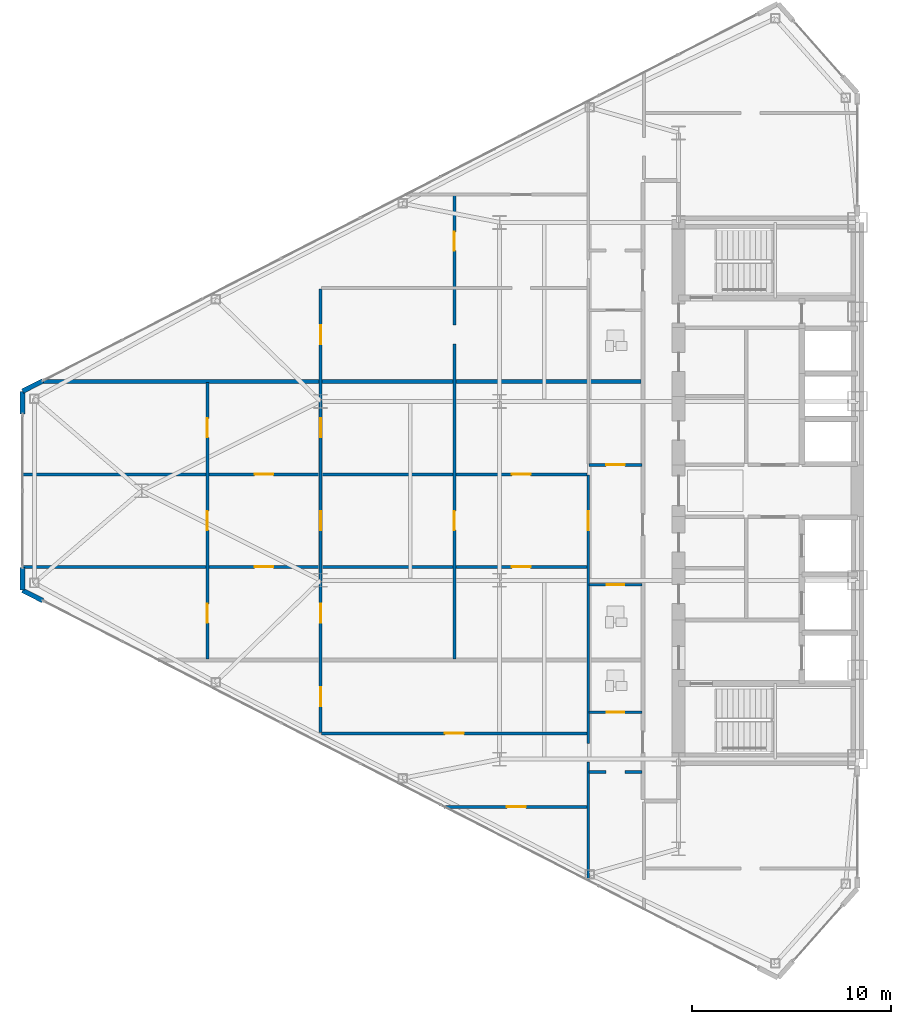
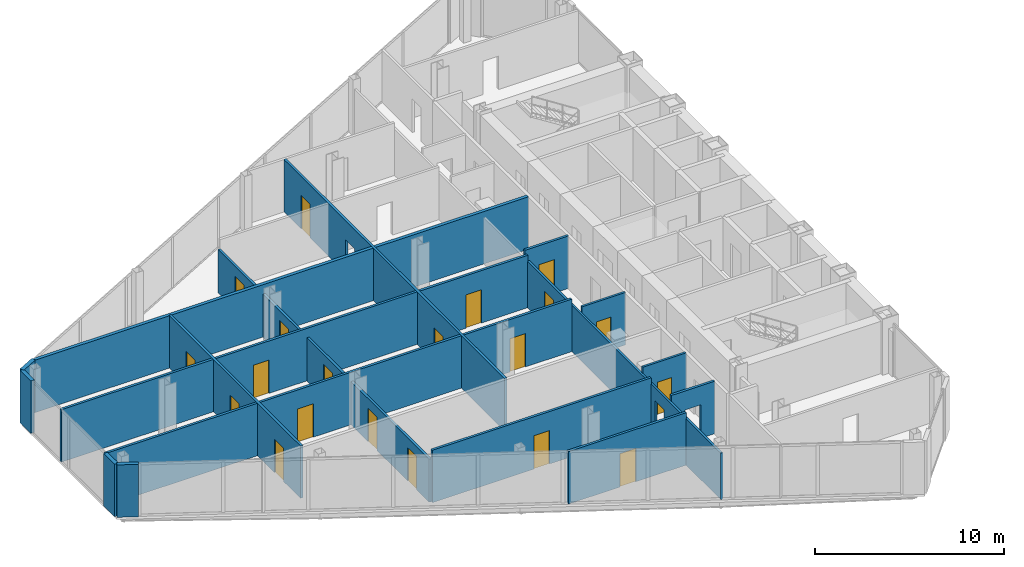
# One storey, part 16 of 24: 20 doors, 17 walls, 23 openings.
"""IFC4 building model written with IfcOpenShell, lengths in metres."""

from ifc_helpers import new_model, si_unit, direction, frame, frame_2d, origin, place, context, subcontext, project, spatial, rectangle, extrude, source, transform, mapped, material, layer, layer_set, type_object, type_shapes, element, fill, save


model = new_model("IFC4")

# Units and contexts
model_context = context("Model", 3, precision=1e-05, world=origin(), true_north=direction((0.0, 1.0)))
body_context = subcontext(model_context, "Body", "Model", "MODEL_VIEW")
ifc_project = project(units=[si_unit("LENGTHUNIT", "METRE"), si_unit("AREAUNIT", "SQUARE_METRE"), si_unit("VOLUMEUNIT", "CUBIC_METRE"), si_unit("PLANEANGLEUNIT", "RADIAN"), si_unit("MASSUNIT", "GRAM", prefix="KILO")], contexts=[model_context])

# Site, building, storey
site_placement = place(None, origin())
site = spatial("IfcSite", under=ifc_project, at=site_placement, CompositionType="ELEMENT")
building_placement = place(site_placement, origin())
building = spatial("IfcBuilding", under=site, at=building_placement, Name="Seokmaru Belvedere", CompositionType="ELEMENT")
storey_placement = place(building_placement, frame((0.0, 0.0, 114.0)))
storey = spatial("IfcBuildingStorey", under=building, at=storey_placement, Name="L30", CompositionType="ELEMENT", Elevation=114.0)

# Wall, opening, door
ifc_material_1 = material(Name="Fire-Rated Gypsum Shaftwall")
ifc_layer_1 = layer(ifc_material_1, 0.14990234375)
ifc_layer_set_1 = layer_set([ifc_layer_1], Name="Fire-Rated Gypsum Shaftwall")
wall_type_1 = type_object("IfcWallType", Name="Apartment Fire-Acoustic Room Partition 150", PredefinedType="PARTITIONING", material=ifc_layer_set_1)
wall_1_placement = place(storey_placement, frame((-48.294921875, -15.89990234375, 0.0), z_axis=(0.0, 0.0, 1.0), x_axis=(1.0, 0.0, 0.0)))
wall_1 = element("IfcWall", 1, at=wall_1_placement, inside=storey, type_object=wall_type_1, Name="L30 Interior Partition 003", PredefinedType="PARTITIONING", context=body_context, shape_type="SweptSolid", body=[
    extrude(rectangle(XDim=7.19482421875, YDim=0.14990234375, at=frame_2d((3.597412109375, 0.0))), origin(), (0.0, 0.0, 1.0), 3.3798828125),
])
opening_1_placement = place(wall_1_placement, frame((3.1650390625, 0.0, 0.0)))
opening_1 = element("IfcOpeningElement", 2, at=opening_1_placement, cuts=wall_1, Name="Opening D05", PredefinedType="OPENING", context=body_context, shape_type="SweptSolid", body=[
    extrude(rectangle(XDim=0.949951171875, YDim=2.14990234375, at=frame_2d((0.47509765625, 1.074951171875))), frame((0.0, 0.0849609375, 0.0), z_axis=(0.0, -1.0, 0.0), x_axis=(1.0, 0.0, 0.0)), (0.0, 0.0, 1.0), 0.169921875),
])
ifc_material_2 = material(Name="Engineered White Oak Timber", Category="wood")
door_type_1 = type_object("IfcDoorType", Name="Apartment Interior Fire-Rated Oak Door 950x2150", OperationType="NOTDEFINED", PredefinedType="DOOR", material=ifc_material_2)
shared_shape_1 = source(origin(), body_context, "Body", "SweptSolid", [
    extrude(rectangle(XDim=0.949951171875, YDim=2.14990234375, at=frame_2d((0.47509765625, 1.074951171875))), frame((0.0, 0.02490234375, 0.0), z_axis=(0.0, -1.0, 0.0), x_axis=(1.0, 0.0, 0.0)), (0.0, 0.0, 1.0), 0.050048828125),
])
type_shapes(door_type_1, [shared_shape_1])
door_1_placement = place(opening_1_placement, origin())
door_1 = element("IfcDoor", 3, at=door_1_placement, inside=storey, type_object=door_type_1, Name="L30 Interior Door 005", OperationType="SINGLE_SWING_LEFT", OverallHeight=2.14990234375, OverallWidth=0.949951171875, PredefinedType="DOOR", context=body_context, shape_type="MappedRepresentation", body=[
    mapped(shared_shape_1, transform((0.0, 0.0, 0.0), scale=1.0)),
])
fill(opening_1, door_1)

# Wall, opening
wall_2_placement = place(storey_placement, frame((-41.0, -14.139892578125, 0.0), z_axis=(0.0, 0.0, 1.0), x_axis=(1.0, 0.0, 0.0)))
wall_2 = element("IfcWall", 4, at=wall_2_placement, inside=storey, type_object=wall_type_1, Name="L30 Interior Partition 007", PredefinedType="PARTITIONING", context=body_context, shape_type="SweptSolid", body=[
    extrude(rectangle(XDim=2.64990234375, YDim=0.14990234375, at=frame_2d((1.324951171875, 0.0))), origin(), (0.0, 0.0, 1.0), 3.3798828125),
])
opening_2_placement = place(wall_2_placement, frame((0.85009765625, 0.0, 0.0)))
element("IfcOpeningElement", 5, at=opening_2_placement, cuts=wall_2, Name="L30 Cased Opening 003", PredefinedType="OPENING", context=body_context, shape_type="SweptSolid", body=[
    extrude(rectangle(XDim=0.949951171875, YDim=2.14990234375, at=frame_2d((0.47509765625, 1.074951171875))), frame((0.0, 0.0849609375, 0.0), z_axis=(0.0, -1.0, 0.0), x_axis=(1.0, 0.0, 0.0)), (0.0, 0.0, 1.0), 0.169921875),
])

# Wall, opening, door
wall_3_placement = place(storey_placement, frame((-54.449951171875, -12.199951171875, 0.0), z_axis=(0.0, 0.0, 1.0), x_axis=(1.0, 0.0, 0.0)))
wall_3 = element("IfcWall", 6, at=wall_3_placement, inside=storey, type_object=wall_type_1, Name="L30 Interior Partition 009", PredefinedType="PARTITIONING", context=body_context, shape_type="SweptSolid", body=[
    extrude(rectangle(XDim=13.349853515625, YDim=0.14990234375, at=frame_2d((6.6748046875, 0.0))), origin(), (0.0, 0.0, 1.0), 3.3798828125),
])
opening_3_placement = place(wall_3_placement, frame((6.199951171875, 0.0, 0.0)))
opening_3 = element("IfcOpeningElement", 7, at=opening_3_placement, cuts=wall_3, Name="Opening D05", PredefinedType="OPENING", context=body_context, shape_type="SweptSolid", body=[
    extrude(rectangle(XDim=0.949951171875, YDim=2.14990234375, at=frame_2d((0.47509765625, 1.074951171875))), frame((0.0, 0.0849609375, 0.0), z_axis=(0.0, -1.0, 0.0), x_axis=(1.0, 0.0, 0.0)), (0.0, 0.0, 1.0), 0.169921875),
])
door_2_placement = place(opening_3_placement, origin())
door_2 = element("IfcDoor", 8, at=door_2_placement, inside=storey, type_object=door_type_1, Name="L30 Interior Door 006", OperationType="SINGLE_SWING_RIGHT", OverallHeight=2.14990234375, OverallWidth=0.949951171875, PredefinedType="DOOR", context=body_context, shape_type="MappedRepresentation", body=[
    mapped(shared_shape_1, transform((0.0, 0.0, 0.0), scale=1.0)),
])
fill(opening_3, door_2)

# Wall, openings, doors
wall_4_placement = place(storey_placement, frame((-69.534912109375, -3.830078125, 0.0), z_axis=(0.0, 0.0, 1.0), x_axis=(1.0, 0.0, 0.0)))
wall_4 = element("IfcWall", 9, at=wall_4_placement, inside=storey, type_object=wall_type_1, Name="L30 Interior Partition 016", PredefinedType="PARTITIONING", context=body_context, shape_type="SweptSolid", body=[
    extrude(rectangle(XDim=28.434814453125, YDim=0.14990234375, at=frame_2d((14.21728515625, 0.0))), origin(), (0.0, 0.0, 1.0), 3.3798828125),
])
opening_4_placement = place(wall_4_placement, frame((24.6474609375, 0.0, 0.0)))
opening_4 = element("IfcOpeningElement", 10, at=opening_4_placement, cuts=wall_4, Name="Opening D05", PredefinedType="OPENING", context=body_context, shape_type="SweptSolid", body=[
    extrude(rectangle(XDim=0.949951171875, YDim=2.14990234375, at=frame_2d((0.47509765625, 1.074951171875))), frame((0.0, 0.0849609375, 0.0), z_axis=(0.0, -1.0, 0.0), x_axis=(1.0, 0.0, 0.0)), (0.0, 0.0, 1.0), 0.169921875),
])
opening_5_placement = place(wall_4_placement, frame((11.7099609375, 0.0, 0.0)))
opening_5 = element("IfcOpeningElement", 11, at=opening_5_placement, cuts=wall_4, Name="Opening D05", PredefinedType="OPENING", context=body_context, shape_type="SweptSolid", body=[
    extrude(rectangle(XDim=0.949951171875, YDim=2.14990234375, at=frame_2d((0.47509765625, 1.074951171875))), frame((0.0, 0.0849609375, 0.0), z_axis=(0.0, -1.0, 0.0), x_axis=(1.0, 0.0, 0.0)), (0.0, 0.0, 1.0), 0.169921875),
])
door_3_placement = place(opening_4_placement, origin())
door_3 = element("IfcDoor", 12, at=door_3_placement, inside=storey, type_object=door_type_1, Name="L30 Interior Door 014", OperationType="SINGLE_SWING_LEFT", OverallHeight=2.14990234375, OverallWidth=0.949951171875, PredefinedType="DOOR", context=body_context, shape_type="MappedRepresentation", body=[
    mapped(shared_shape_1, transform((0.0, 0.0, 0.0), scale=1.0)),
])
fill(opening_4, door_3)
door_4_placement = place(opening_5_placement, origin())
door_4 = element("IfcDoor", 13, at=door_4_placement, inside=storey, type_object=door_type_1, Name="L30 Interior Door 018", OperationType="SINGLE_SWING_LEFT", OverallHeight=2.14990234375, OverallWidth=0.949951171875, PredefinedType="DOOR", context=body_context, shape_type="MappedRepresentation", body=[
    mapped(shared_shape_1, transform((0.0, 0.0, 0.0), scale=1.0)),
])
fill(opening_5, door_4)

wall_5_placement = place(storey_placement, frame((-69.534912109375, 0.830078125, 0.0), z_axis=(0.0, 0.0, 1.0), x_axis=(1.0, 0.0, 0.0)))
wall_5 = element("IfcWall", 14, at=wall_5_placement, inside=storey, type_object=wall_type_1, Name="L30 Interior Partition 019", PredefinedType="PARTITIONING", context=body_context, shape_type="SweptSolid", body=[
    extrude(rectangle(XDim=28.434814453125, YDim=0.14990234375, at=frame_2d((14.21728515625, 0.0))), origin(), (0.0, 0.0, 1.0), 3.3798828125),
])
opening_6_placement = place(wall_5_placement, frame((24.6474609375, 0.0, 0.0)))
opening_6 = element("IfcOpeningElement", 15, at=opening_6_placement, cuts=wall_5, Name="Opening D05", PredefinedType="OPENING", context=body_context, shape_type="SweptSolid", body=[
    extrude(rectangle(XDim=0.949951171875, YDim=2.14990234375, at=frame_2d((0.47509765625, 1.074951171875))), frame((0.0, 0.0849609375, 0.0), z_axis=(0.0, -1.0, 0.0), x_axis=(1.0, 0.0, 0.0)), (0.0, 0.0, 1.0), 0.169921875),
])
opening_7_placement = place(wall_5_placement, frame((11.7099609375, 0.0, 0.0)))
opening_7 = element("IfcOpeningElement", 16, at=opening_7_placement, cuts=wall_5, Name="Opening D05", PredefinedType="OPENING", context=body_context, shape_type="SweptSolid", body=[
    extrude(rectangle(XDim=0.949951171875, YDim=2.14990234375, at=frame_2d((0.47509765625, 1.074951171875))), frame((0.0, 0.0849609375, 0.0), z_axis=(0.0, -1.0, 0.0), x_axis=(1.0, 0.0, 0.0)), (0.0, 0.0, 1.0), 0.169921875),
])
door_5_placement = place(opening_6_placement, origin())
door_5 = element("IfcDoor", 17, at=door_5_placement, inside=storey, type_object=door_type_1, Name="L30 Interior Door 016", OperationType="SINGLE_SWING_RIGHT", OverallHeight=2.14990234375, OverallWidth=0.949951171875, PredefinedType="DOOR", context=body_context, shape_type="MappedRepresentation", body=[
    mapped(shared_shape_1, transform((0.0, 0.0, 0.0), scale=1.0)),
])
fill(opening_6, door_5)
door_6_placement = place(opening_7_placement, origin())
door_6 = element("IfcDoor", 18, at=door_6_placement, inside=storey, type_object=door_type_1, Name="L30 Interior Door 021", OperationType="SINGLE_SWING_LEFT", OverallHeight=2.14990234375, OverallWidth=0.949951171875, PredefinedType="DOOR", context=body_context, shape_type="MappedRepresentation", body=[
    mapped(shared_shape_1, transform((0.0, 0.0, 0.0), scale=1.0)),
])
fill(opening_7, door_6)

# Wall, opening, door
wall_6_placement = place(storey_placement, frame((-41.0, 1.300048828125, 0.0), z_axis=(0.0, 0.0, 1.0), x_axis=(1.0, 0.0, 0.0)))
wall_6 = element("IfcWall", 19, at=wall_6_placement, inside=storey, type_object=wall_type_1, Name="L30 Interior Partition 020", PredefinedType="PARTITIONING", context=body_context, shape_type="SweptSolid", body=[
    extrude(rectangle(XDim=2.64990234375, YDim=0.14990234375, at=frame_2d((1.324951171875, 0.0))), origin(), (0.0, 0.0, 1.0), 3.3798828125),
])
opening_8_placement = place(wall_6_placement, frame((0.85009765625, 0.0, 0.0)))
opening_8 = element("IfcOpeningElement", 20, at=opening_8_placement, cuts=wall_6, Name="Opening D05", PredefinedType="OPENING", context=body_context, shape_type="SweptSolid", body=[
    extrude(rectangle(XDim=0.949951171875, YDim=2.14990234375, at=frame_2d((0.47509765625, 1.074951171875))), frame((0.0, 0.0849609375, 0.0), z_axis=(0.0, -1.0, 0.0), x_axis=(1.0, 0.0, 0.0)), (0.0, 0.0, 1.0), 0.169921875),
])
door_7_placement = place(opening_8_placement, origin())
door_7 = element("IfcDoor", 21, at=door_7_placement, inside=storey, type_object=door_type_1, Name="L30 Interior Door 012", OperationType="SINGLE_SWING_LEFT", OverallHeight=2.14990234375, OverallWidth=0.949951171875, PredefinedType="DOOR", context=body_context, shape_type="MappedRepresentation", body=[
    mapped(shared_shape_1, transform((0.0, 0.0, 0.0), scale=1.0)),
])
fill(opening_8, door_7)

# Wall, openings, doors
wall_7_placement = place(storey_placement, frame((-60.199951171875, -8.449951171875, 0.0), z_axis=(0.0, 0.0, 1.0), x_axis=(0.0, 1.0, 0.0)))
wall_7 = element("IfcWall", 22, at=wall_7_placement, inside=storey, type_object=wall_type_1, Name="L30 Interior Partition 037", PredefinedType="PARTITIONING", context=body_context, shape_type="SweptSolid", body=[
    extrude(rectangle(XDim=13.89990234375, YDim=0.14990234375, at=frame_2d((6.949951171875, 0.0))), origin(), (0.0, 0.0, 1.0), 3.3798828125),
])
opening_9_placement = place(wall_7_placement, frame((1.808349609375, 0.0, 0.0)))
opening_9 = element("IfcOpeningElement", 23, at=opening_9_placement, cuts=wall_7, Name="Opening D05", PredefinedType="OPENING", context=body_context, shape_type="SweptSolid", body=[
    extrude(rectangle(XDim=0.949951171875, YDim=2.14990234375, at=frame_2d((0.47509765625, 1.074951171875))), frame((0.0, 0.0849609375, 0.0), z_axis=(0.0, -1.0, 0.0), x_axis=(1.0, 0.0, 0.0)), (0.0, 0.0, 1.0), 0.169921875),
])
opening_10_placement = place(wall_7_placement, frame((6.47509765625, 0.0, 0.0)))
opening_10 = element("IfcOpeningElement", 24, at=opening_10_placement, cuts=wall_7, Name="Opening D05", PredefinedType="OPENING", context=body_context, shape_type="SweptSolid", body=[
    extrude(rectangle(XDim=0.949951171875, YDim=2.14990234375, at=frame_2d((0.47509765625, 1.074951171875))), frame((0.0, 0.0849609375, 0.0), z_axis=(0.0, -1.0, 0.0), x_axis=(1.0, 0.0, 0.0)), (0.0, 0.0, 1.0), 0.169921875),
])
opening_11_placement = place(wall_7_placement, frame((11.1416015625, 0.0, 0.0)))
opening_11 = element("IfcOpeningElement", 25, at=opening_11_placement, cuts=wall_7, Name="Opening D05", PredefinedType="OPENING", context=body_context, shape_type="SweptSolid", body=[
    extrude(rectangle(XDim=0.949951171875, YDim=2.14990234375, at=frame_2d((0.47509765625, 1.074951171875))), frame((0.0, 0.0849609375, 0.0), z_axis=(0.0, -1.0, 0.0), x_axis=(1.0, 0.0, 0.0)), (0.0, 0.0, 1.0), 0.169921875),
])
door_8_placement = place(opening_9_placement, origin())
door_8 = element("IfcDoor", 26, at=door_8_placement, inside=storey, type_object=door_type_1, Name="L30 Interior Door 019", OperationType="SINGLE_SWING_RIGHT", OverallHeight=2.14990234375, OverallWidth=0.949951171875, PredefinedType="DOOR", context=body_context, shape_type="MappedRepresentation", body=[
    mapped(shared_shape_1, transform((0.0, 0.0, 0.0), scale=1.0)),
])
fill(opening_9, door_8)
door_9_placement = place(opening_10_placement, origin())
door_9 = element("IfcDoor", 27, at=door_9_placement, inside=storey, type_object=door_type_1, Name="L30 Interior Door 020", OperationType="SINGLE_SWING_RIGHT", OverallHeight=2.14990234375, OverallWidth=0.949951171875, PredefinedType="DOOR", context=body_context, shape_type="MappedRepresentation", body=[
    mapped(shared_shape_1, transform((0.0, 0.0, 0.0), scale=1.0)),
])
fill(opening_10, door_9)
door_10_placement = place(opening_11_placement, origin())
door_10 = element("IfcDoor", 28, at=door_10_placement, inside=storey, type_object=door_type_1, Name="L30 Interior Door 022", OperationType="SINGLE_SWING_RIGHT", OverallHeight=2.14990234375, OverallWidth=0.949951171875, PredefinedType="DOOR", context=body_context, shape_type="MappedRepresentation", body=[
    mapped(shared_shape_1, transform((0.0, 0.0, 0.0), scale=1.0)),
])
fill(opening_11, door_10)

wall_8_placement = place(storey_placement, frame((-54.5, -12.14990234375, 0.0), z_axis=(0.0, 0.0, 1.0), x_axis=(0.0, 1.0, 0.0)))
wall_8 = element("IfcWall", 29, at=wall_8_placement, inside=storey, type_object=wall_type_1, Name="L30 Interior Partition 038", PredefinedType="PARTITIONING", context=body_context, shape_type="SweptSolid", body=[
    extrude(rectangle(XDim=22.2998046875, YDim=0.14990234375, at=frame_2d((11.14990234375, 0.0))), origin(), (0.0, 0.0, 1.0), 2.780029296875),
])
opening_12_placement = place(wall_8_placement, frame((1.3251953125, 0.0, 0.0)))
opening_12 = element("IfcOpeningElement", 30, at=opening_12_placement, cuts=wall_8, Name="Opening D05", PredefinedType="OPENING", context=body_context, shape_type="SweptSolid", body=[
    extrude(rectangle(XDim=0.949951171875, YDim=2.14990234375, at=frame_2d((0.47509765625, 1.074951171875))), frame((0.0, 0.0849609375, 0.0), z_axis=(0.0, -1.0, 0.0), x_axis=(1.0, 0.0, 0.0)), (0.0, 0.0, 1.0), 0.169921875),
])
opening_13_placement = place(wall_8_placement, frame((10.175048828125, 0.0, 0.0)))
opening_13 = element("IfcOpeningElement", 31, at=opening_13_placement, cuts=wall_8, Name="Opening D05", PredefinedType="OPENING", context=body_context, shape_type="SweptSolid", body=[
    extrude(rectangle(XDim=0.949951171875, YDim=2.14990234375, at=frame_2d((0.47509765625, 1.074951171875))), frame((0.0, 0.0849609375, 0.0), z_axis=(0.0, -1.0, 0.0), x_axis=(1.0, 0.0, 0.0)), (0.0, 0.0, 1.0), 0.169921875),
])
opening_14_placement = place(wall_8_placement, frame((5.50830078125, 0.0, 0.0)))
opening_14 = element("IfcOpeningElement", 32, at=opening_14_placement, cuts=wall_8, Name="Opening D05", PredefinedType="OPENING", context=body_context, shape_type="SweptSolid", body=[
    extrude(rectangle(XDim=0.949951171875, YDim=2.14990234375, at=frame_2d((0.47509765625, 1.074951171875))), frame((0.0, 0.0849609375, 0.0), z_axis=(0.0, -1.0, 0.0), x_axis=(1.0, 0.0, 0.0)), (0.0, 0.0, 1.0), 0.169921875),
])
opening_15_placement = place(wall_8_placement, frame((14.841552734375, 0.0, 0.0)))
opening_15 = element("IfcOpeningElement", 33, at=opening_15_placement, cuts=wall_8, Name="Opening D05", PredefinedType="OPENING", context=body_context, shape_type="SweptSolid", body=[
    extrude(rectangle(XDim=0.949951171875, YDim=2.14990234375, at=frame_2d((0.47509765625, 1.074951171875))), frame((0.0, 0.0849609375, 0.0), z_axis=(0.0, -1.0, 0.0), x_axis=(1.0, 0.0, 0.0)), (0.0, 0.0, 1.0), 0.169921875),
])
opening_16_placement = place(wall_8_placement, frame((19.52490234375, 0.0, 0.0)))
opening_16 = element("IfcOpeningElement", 34, at=opening_16_placement, cuts=wall_8, Name="Opening D05", PredefinedType="OPENING", context=body_context, shape_type="SweptSolid", body=[
    extrude(rectangle(XDim=0.949951171875, YDim=2.14990234375, at=frame_2d((0.47509765625, 1.074951171875))), frame((0.0, 0.0849609375, 0.0), z_axis=(0.0, -1.0, 0.0), x_axis=(1.0, 0.0, 0.0)), (0.0, 0.0, 1.0), 0.169921875),
])
door_11_placement = place(opening_12_placement, origin())
door_11 = element("IfcDoor", 35, at=door_11_placement, inside=storey, type_object=door_type_1, Name="L30 Interior Door 009", OperationType="SINGLE_SWING_LEFT", OverallHeight=2.14990234375, OverallWidth=0.949951171875, PredefinedType="DOOR", context=body_context, shape_type="MappedRepresentation", body=[
    mapped(shared_shape_1, transform((0.0, 0.0, 0.0), scale=1.0)),
])
fill(opening_12, door_11)
door_12_placement = place(opening_13_placement, origin())
door_12 = element("IfcDoor", 36, at=door_12_placement, inside=storey, type_object=door_type_1, Name="L30 Interior Door 017", OperationType="SINGLE_SWING_RIGHT", OverallHeight=2.14990234375, OverallWidth=0.949951171875, PredefinedType="DOOR", context=body_context, shape_type="MappedRepresentation", body=[
    mapped(shared_shape_1, transform((0.0, 0.0, 0.0), scale=1.0)),
])
fill(opening_13, door_12)
door_13_placement = place(opening_14_placement, origin())
door_13 = element("IfcDoor", 37, at=door_13_placement, inside=storey, type_object=door_type_1, Name="L30 Interior Door 023", OperationType="SINGLE_SWING_RIGHT", OverallHeight=2.14990234375, OverallWidth=0.949951171875, PredefinedType="DOOR", context=body_context, shape_type="MappedRepresentation", body=[
    mapped(shared_shape_1, transform((0.0, 0.0, 0.0), scale=1.0)),
])
fill(opening_14, door_13)
door_14_placement = place(opening_15_placement, origin())
door_14 = element("IfcDoor", 38, at=door_14_placement, inside=storey, type_object=door_type_1, Name="L30 Interior Door 024", OperationType="SINGLE_SWING_LEFT", OverallHeight=2.14990234375, OverallWidth=0.949951171875, PredefinedType="DOOR", context=body_context, shape_type="MappedRepresentation", body=[
    mapped(shared_shape_1, transform((0.0, 0.0, 0.0), scale=1.0)),
])
fill(opening_15, door_14)
door_15_placement = place(opening_16_placement, origin())
door_15 = element("IfcDoor", 39, at=door_15_placement, inside=storey, type_object=door_type_1, Name="L30 Interior Door 033", OperationType="SINGLE_SWING_RIGHT", OverallHeight=2.14990234375, OverallWidth=0.949951171875, PredefinedType="DOOR", context=body_context, shape_type="MappedRepresentation", body=[
    mapped(shared_shape_1, transform((0.0, 0.0, 0.0), scale=1.0)),
])
fill(opening_16, door_15)

wall_9_placement = place(storey_placement, frame((-47.77001953125, -8.449951171875, 0.0), z_axis=(0.0, 0.0, 1.0), x_axis=(0.0, 1.0, 0.0)))
wall_9 = element("IfcWall", 40, at=wall_9_placement, inside=storey, type_object=wall_type_1, Name="L30 Interior Partition 039", PredefinedType="PARTITIONING", context=body_context, shape_type="SweptSolid", body=[
    extrude(rectangle(XDim=23.300048828125, YDim=0.14990234375, at=frame_2d((11.64990234375, 0.0))), origin(), (0.0, 0.0, 1.0), 3.3798828125),
])
opening_17_placement = place(wall_9_placement, frame((6.47509765625, 0.0, 0.0)))
opening_17 = element("IfcOpeningElement", 41, at=opening_17_placement, cuts=wall_9, Name="Opening D05", PredefinedType="OPENING", context=body_context, shape_type="SweptSolid", body=[
    extrude(rectangle(XDim=0.949951171875, YDim=2.14990234375, at=frame_2d((0.47509765625, 1.074951171875))), frame((0.0, 0.0849609375, 0.0), z_axis=(0.0, -1.0, 0.0), x_axis=(1.0, 0.0, 0.0)), (0.0, 0.0, 1.0), 0.169921875),
])
opening_18_placement = place(wall_9_placement, frame((20.524658203125, 0.0, 0.0)))
opening_18 = element("IfcOpeningElement", 42, at=opening_18_placement, cuts=wall_9, Name="Opening D05", PredefinedType="OPENING", context=body_context, shape_type="SweptSolid", body=[
    extrude(rectangle(XDim=0.949951171875, YDim=2.14990234375, at=frame_2d((0.47509765625, 1.074951171875))), frame((0.0, 0.0849609375, 0.0), z_axis=(0.0, -1.0, 0.0), x_axis=(1.0, 0.0, 0.0)), (0.0, 0.0, 1.0), 0.169921875),
])
opening_19_placement = place(wall_9_placement, frame((15.824951171875, 0.0, 0.0)))
element("IfcOpeningElement", 43, at=opening_19_placement, cuts=wall_9, Name="L30 Cased Opening 032", PredefinedType="OPENING", context=body_context, shape_type="SweptSolid", body=[
    extrude(rectangle(XDim=0.949951171875, YDim=2.14990234375, at=frame_2d((0.47509765625, 1.074951171875))), frame((0.0, 0.0849609375, 0.0), z_axis=(0.0, -1.0, 0.0), x_axis=(1.0, 0.0, 0.0)), (0.0, 0.0, 1.0), 0.169921875),
])
door_16_placement = place(opening_17_placement, origin())
door_16 = element("IfcDoor", 44, at=door_16_placement, inside=storey, type_object=door_type_1, Name="L30 Interior Door 015", OperationType="SINGLE_SWING_RIGHT", OverallHeight=2.14990234375, OverallWidth=0.949951171875, PredefinedType="DOOR", context=body_context, shape_type="MappedRepresentation", body=[
    mapped(shared_shape_1, transform((0.0, 0.0, 0.0), scale=1.0)),
])
fill(opening_17, door_16)
door_17_placement = place(opening_18_placement, origin())
door_17 = element("IfcDoor", 45, at=door_17_placement, inside=storey, type_object=door_type_1, Name="L30 Interior Door 030", OperationType="SINGLE_SWING_LEFT", OverallHeight=2.14990234375, OverallWidth=0.949951171875, PredefinedType="DOOR", context=body_context, shape_type="MappedRepresentation", body=[
    mapped(shared_shape_1, transform((0.0, 0.0, 0.0), scale=1.0)),
])
fill(opening_18, door_17)

# Wall
ifc_layer_2 = layer(ifc_material_1, 0.199951171875)
ifc_layer_set_2 = layer_set([ifc_layer_2], Name="Fire-Rated Gypsum Shaftwall")
wall_type_2 = type_object("IfcWallType", Name="Inter-Tenancy Fire Compartment Partition 200", PredefinedType="PARTITIONING", material=ifc_layer_set_2)
wall_10_placement = place(storey_placement, frame((-68.45849609375, 5.5, 0.0), z_axis=(0.0, 0.0, 1.0), x_axis=(1.0, 0.0, 0.0)))
element("IfcWall", 46, at=wall_10_placement, inside=storey, type_object=wall_type_2, Name="L30 Interior Partition 023", PredefinedType="PARTITIONING", context=body_context, shape_type="SweptSolid", body=[
    extrude(rectangle(XDim=30.07861328125, YDim=0.199951171875, at=frame_2d((15.039306640625, 0.0))), origin(), (0.0, 0.0, 1.0), 3.3798828125),
])

# Wall, opening, door
ifc_layer_3 = layer(ifc_material_1, 0.1298828125)
ifc_layer_set_3 = layer_set([ifc_layer_3], Name="Fire-Rated Gypsum Shaftwall")
wall_type_3 = type_object("IfcWallType", Name="Moisture-Resistant Fire-Rated Bathroom Partition 130", PredefinedType="PARTITIONING", material=ifc_layer_set_3)
wall_11_placement = place(storey_placement, frame((-41.0, -11.139892578125, 0.0), z_axis=(0.0, 0.0, 1.0), x_axis=(1.0, 0.0, 0.0)))
wall_11 = element("IfcWall", 47, at=wall_11_placement, inside=storey, type_object=wall_type_3, Name="L30 Interior Partition 010", PredefinedType="PARTITIONING", context=body_context, shape_type="SweptSolid", body=[
    extrude(rectangle(XDim=2.64990234375, YDim=0.1298828125, at=frame_2d((1.324951171875, 0.0))), origin(), (0.0, 0.0, 1.0), 3.3798828125),
])
opening_20_placement = place(wall_11_placement, frame((0.885009765625, 0.0, 0.0)))
opening_20 = element("IfcOpeningElement", 48, at=opening_20_placement, cuts=wall_11, Name="Opening D06", PredefinedType="OPENING", context=body_context, shape_type="SweptSolid", body=[
    extrude(rectangle(XDim=0.8798828125, YDim=2.10009765625, at=frame_2d((0.43994140625, 1.050048828125))), frame((0.0, 0.074951171875, 0.0), z_axis=(0.0, -1.0, 0.0), x_axis=(1.0, 0.0, 0.0)), (0.0, 0.0, 1.0), 0.14990234375),
])
door_type_2 = type_object("IfcDoorType", Name="Bathroom and Restroom Fire-Rated Door 880x2100", OperationType="NOTDEFINED", PredefinedType="DOOR", material=ifc_material_2)
shared_shape_2 = source(origin(), body_context, "Body", "SweptSolid", [
    extrude(rectangle(XDim=0.8798828125, YDim=2.10009765625, at=frame_2d((0.43994140625, 1.050048828125))), frame((0.0, 0.02490234375, 0.0), z_axis=(0.0, -1.0, 0.0), x_axis=(1.0, 0.0, 0.0)), (0.0, 0.0, 1.0), 0.050048828125),
])
type_shapes(door_type_2, [shared_shape_2])
door_18_placement = place(opening_20_placement, origin())
door_18 = element("IfcDoor", 49, at=door_18_placement, inside=storey, type_object=door_type_2, Name="L30 Interior Door 002", OperationType="SINGLE_SWING_LEFT", OverallHeight=2.10009765625, OverallWidth=0.8798828125, PredefinedType="DOOR", context=body_context, shape_type="MappedRepresentation", body=[
    mapped(shared_shape_2, transform((0.0, 0.0, 0.0), scale=1.0)),
])
fill(opening_20, door_18)

wall_12_placement = place(storey_placement, frame((-41.0, -4.719970703125, 0.0), z_axis=(0.0, 0.0, 1.0), x_axis=(1.0, 0.0, 0.0)))
wall_12 = element("IfcWall", 50, at=wall_12_placement, inside=storey, type_object=wall_type_3, Name="L30 Interior Partition 015", PredefinedType="PARTITIONING", context=body_context, shape_type="SweptSolid", body=[
    extrude(rectangle(XDim=2.64990234375, YDim=0.1298828125, at=frame_2d((1.324951171875, 0.0))), origin(), (0.0, 0.0, 1.0), 3.3798828125),
])
opening_21_placement = place(wall_12_placement, frame((0.885009765625, 0.0, 0.0)))
opening_21 = element("IfcOpeningElement", 51, at=opening_21_placement, cuts=wall_12, Name="Opening D06", PredefinedType="OPENING", context=body_context, shape_type="SweptSolid", body=[
    extrude(rectangle(XDim=0.8798828125, YDim=2.10009765625, at=frame_2d((0.43994140625, 1.050048828125))), frame((0.0, 0.074951171875, 0.0), z_axis=(0.0, -1.0, 0.0), x_axis=(1.0, 0.0, 0.0)), (0.0, 0.0, 1.0), 0.14990234375),
])
door_19_placement = place(opening_21_placement, origin())
door_19 = element("IfcDoor", 52, at=door_19_placement, inside=storey, type_object=door_type_2, Name="L30 Interior Door 011", OperationType="SINGLE_SWING_LEFT", OverallHeight=2.10009765625, OverallWidth=0.8798828125, PredefinedType="DOOR", context=body_context, shape_type="MappedRepresentation", body=[
    mapped(shared_shape_2, transform((0.0, 0.0, 0.0), scale=1.0)),
])
fill(opening_21, door_19)

# Wall, openings, door
wall_13_placement = place(storey_placement, frame((-41.050048828125, -19.634033203125, 0.0), z_axis=(0.0, 0.0, 1.0), x_axis=(0.0, 1.0, 0.0)))
wall_13 = element("IfcWall", 53, at=wall_13_placement, inside=storey, type_object=wall_type_3, Name="L30 Interior Partition 040", PredefinedType="PARTITIONING", context=body_context, shape_type="SweptSolid", body=[
    extrude(rectangle(XDim=20.4169921875, YDim=0.1298828125, at=frame_2d((10.20849609375, 0.0))), origin(), (0.0, 0.0, 1.0), 2.989990234375),
])
opening_22_placement = place(wall_13_placement, frame((5.986572265625, 0.0, 0.0)))
element("IfcOpeningElement", 54, at=opening_22_placement, cuts=wall_13, Name="L30 Cased Opening 004", PredefinedType="OPENING", context=body_context, shape_type="SweptSolid", body=[
    extrude(rectangle(XDim=0.949951171875, YDim=2.14990234375, at=frame_2d((0.47509765625, 1.074951171875))), frame((0.0, 0.074951171875, 0.0), z_axis=(0.0, -1.0, 0.0), x_axis=(1.0, 0.0, 0.0)), (0.0, 0.0, 1.0), 0.14990234375),
])
opening_23_placement = place(wall_13_placement, frame((17.658935546875, 0.0, 0.0)))
opening_23 = element("IfcOpeningElement", 55, at=opening_23_placement, cuts=wall_13, Name="Opening D05", PredefinedType="OPENING", context=body_context, shape_type="SweptSolid", body=[
    extrude(rectangle(XDim=0.949951171875, YDim=2.14990234375, at=frame_2d((0.47509765625, 1.074951171875))), frame((0.0, 0.074951171875, 0.0), z_axis=(0.0, -1.0, 0.0), x_axis=(1.0, 0.0, 0.0)), (0.0, 0.0, 1.0), 0.14990234375),
])
door_20_placement = place(opening_23_placement, origin())
door_20 = element("IfcDoor", 56, at=door_20_placement, inside=storey, type_object=door_type_1, Name="L30 Interior Door 013", OperationType="SINGLE_SWING_RIGHT", OverallHeight=2.14990234375, OverallWidth=0.949951171875, PredefinedType="DOOR", context=body_context, shape_type="MappedRepresentation", body=[
    mapped(shared_shape_1, transform((0.0, 0.0, 0.0), scale=1.0)),
])
fill(opening_23, door_20)

# Walls
ifc_material_3 = material(Name="Anodised Bronze Aluminium", Category="aluminium")
ifc_layer_4 = layer(ifc_material_3, 0.239990234375)
ifc_layer_set_4 = layer_set([ifc_layer_4], Name="Anodised Bronze Aluminium")
wall_type_4 = type_object("IfcWallType", Name="Tower Corner Spandrel Closure Wall 240", PredefinedType="SOLIDWALL", material=ifc_layer_set_4)
wall_14_placement = place(storey_placement, frame((-68.476806640625, 5.52490234375, 0.0), z_axis=(0.0, 0.0, 1.0), x_axis=(-0.889797395748, -0.456355776255, 0.0)))
element("IfcWall", 57, at=wall_14_placement, inside=storey, type_object=wall_type_4, Name="L30 W Corner Closure Pier 3B", PredefinedType="SOLIDWALL", context=body_context, shape_type="SweptSolid", body=[
    extrude(rectangle(XDim=1.14013671875, YDim=0.239990234375, at=frame_2d((0.570068359375, 0.0))), origin(), (0.0, 0.0, 1.0), 3.3798828125),
])
for number, where, z_axis, x_axis, name in (
    (58, (-69.5, 4.989990234375, 0.0), (0.0, 0.0, 1.0), (0.0, -1.0, 0.0), "L30 W Corner Closure Pier 4A"),
    (59, (-69.5, -3.85009765625, 0.0), (0.0, 0.0, 1.0), (0.0, -1.0, 0.0), "L30 W Corner Closure Pier 4B"),
):
    element("IfcWall", number, at=place(storey_placement, frame(where, z_axis=z_axis, x_axis=x_axis)), inside=storey, type_object=wall_type_4, Name=name, PredefinedType="SOLIDWALL", context=body_context, shape_type="SweptSolid", body=[
        extrude(rectangle(XDim=1.139892578125, YDim=0.239990234375, at=frame_2d((0.56982421875, 0.0))), origin(), (0.0, 0.0, 1.0), 3.3798828125),
    ])
wall_15_placement = place(storey_placement, frame((-69.4912109375, -5.004638671875, 0.0), z_axis=(0.0, 0.0, 1.0), x_axis=(0.889797395748, -0.456355776255, 0.0)))
element("IfcWall", 60, at=wall_15_placement, inside=storey, type_object=wall_type_4, Name="L30 W Corner Closure Pier 5A", PredefinedType="SOLIDWALL", context=body_context, shape_type="SweptSolid", body=[
    extrude(rectangle(XDim=1.14013671875, YDim=0.239990234375, at=frame_2d((0.570068359375, 0.0))), origin(), (0.0, 0.0, 1.0), 3.3798828125),
])

save(model, "model.ifc")
